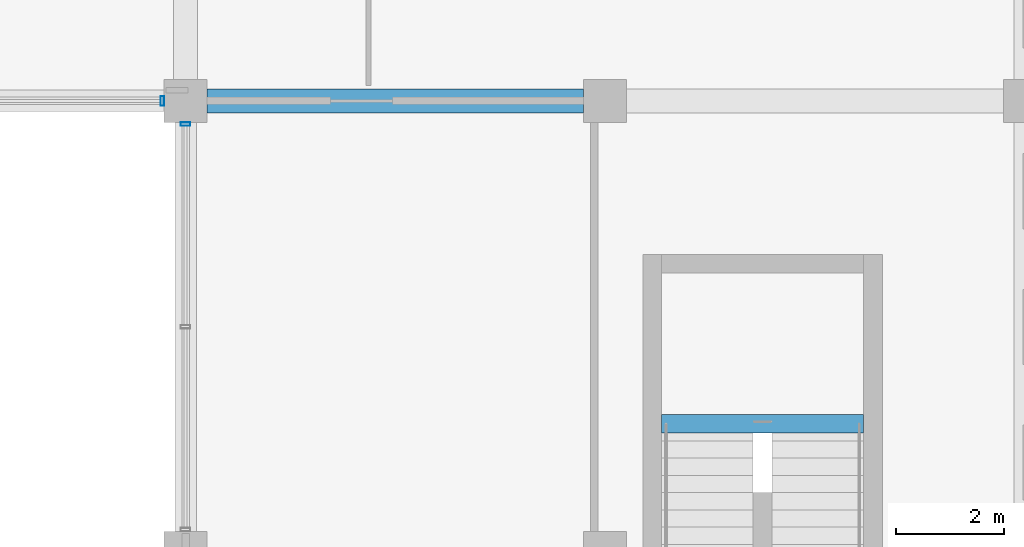
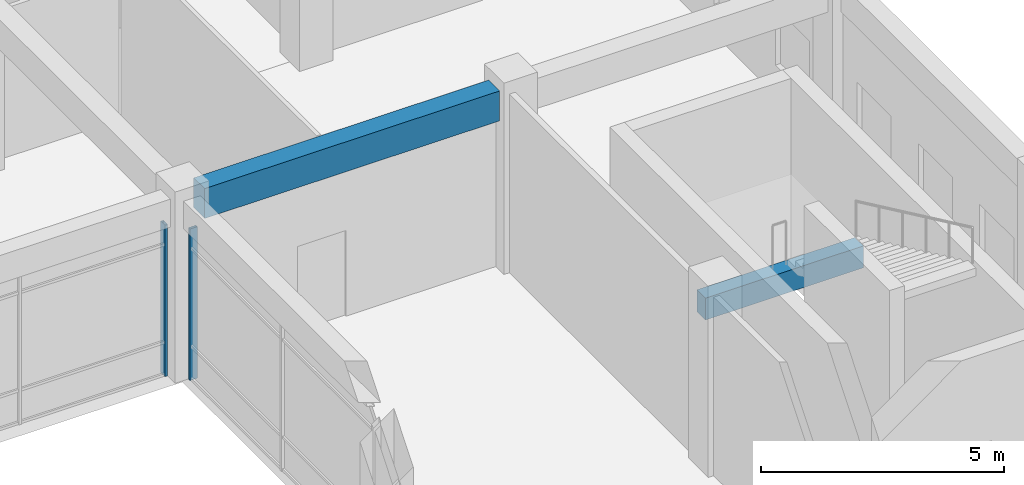
# One storey, part 34 of 62: 2 beams, 2 members, 2 elements without a shape of their own.
"""IFC4 building model written with IfcOpenShell, lengths in metres."""

import ifcopenshell
import ifcopenshell.guid

model = None  # the IFC model being written
_history = None  # IfcOwnerHistory: only IFC2X3 demands one
_inside = {}  # id of a spatial element -> (the spatial element, [elements in it])
_under = {}  # id of a project, library or spatial element -> (it, [spatial elements below it])
_declared = {}  # id of a project -> (the project, [libraries it declares])
_typed = {}  # id of a type object -> (the type object, [elements of that type])
_made_of = {}  # id of a material, layer set ... -> (it, [elements and type objects made of it])


def new_model(schema):
    """Start an empty IFC model of exactly this schema.

    Asked for "IFC4X3", IfcOpenShell would pick the latest addendum, in which some entities
    have other attributes; the version numbers below select the first issue.
    IFC2X3 requires an IfcOwnerHistory on every rooted entity: one is made here for all.
    """
    global model, _history
    if schema == "IFC4X3":
        model = ifcopenshell.file(schema_version=(4, 3, 0, 0))
    else:
        model = ifcopenshell.file(schema=schema)
    _inside.clear()
    _under.clear()
    _declared.clear()
    _typed.clear()
    _made_of.clear()
    _history = None
    if model.schema == "IFC2X3":
        org = make("IfcOrganization", Name="unknown")
        user = make(
            "IfcPersonAndOrganization",
            ThePerson=make("IfcPerson", FamilyName="unknown"),
            TheOrganization=org,
        )
        app = make(
            "IfcApplication",
            ApplicationDeveloper=org,
            Version="unknown",
            ApplicationFullName="unknown",
            ApplicationIdentifier="unknown",
        )
        _history = make(
            "IfcOwnerHistory",
            OwningUser=user,
            OwningApplication=app,
            ChangeAction="ADDED",
            CreationDate=0,
        )
    return model


def make(cls, **values):
    """One entity of the class cls with the attributes given. An attribute that is None is left unset."""
    return model.create_entity(
        cls, **{name: value for name, value in values.items() if value is not None}
    )


def rooted(cls, **values):
    """An entity with a GlobalId (a new one), such as an element, a storey or a relation."""
    return make(cls, GlobalId=ifcopenshell.guid.new(), OwnerHistory=_history, **values)


def si_unit(unit_type, name, prefix=None):
    """IfcSIUnit, for example si_unit("LENGTHUNIT", "METRE", prefix="MILLI")."""
    return make("IfcSIUnit", UnitType=unit_type, Prefix=prefix, Name=name)


def assignment(units):
    """IfcUnitAssignment: the units of a project."""
    return None if units is None else make("IfcUnitAssignment", Units=units)


def point(xyz):
    """IfcCartesianPoint."""
    return None if xyz is None else make("IfcCartesianPoint", Coordinates=xyz)


def direction(xyz):
    """IfcDirection."""
    return None if xyz is None else make("IfcDirection", DirectionRatios=xyz)


def frame(location, z_axis=None, x_axis=None):
    """IfcAxis2Placement3D, a coordinate frame: its origin and axes. An axis left out is left unset."""
    return make(
        "IfcAxis2Placement3D",
        Location=point(location),
        Axis=direction(z_axis),
        RefDirection=direction(x_axis),
    )


def frame_2d(location, x_axis=None):
    """IfcAxis2Placement2D, a coordinate frame in the plane: its origin and x axis."""
    return make(
        "IfcAxis2Placement2D", Location=point(location), RefDirection=direction(x_axis)
    )


def origin():
    """The frame at (0, 0, 0) with its axes left unset."""
    return frame((0.0, 0.0, 0.0))


def origin_2d():
    """The frame at (0, 0) in the plane with its x axis left unset."""
    return frame_2d((0.0, 0.0))


def place(relative_to, where):
    """IfcLocalPlacement: puts the frame where relative to a parent placement (None: the world)."""
    return make(
        "IfcLocalPlacement", PlacementRelTo=relative_to, RelativePlacement=where
    )


def context(
    kind, dimensions, precision=None, world=None, true_north=None, identifier=None
):
    """IfcGeometricRepresentationContext, for example the 3D "Model" context."""
    return make(
        "IfcGeometricRepresentationContext",
        ContextIdentifier=identifier,
        ContextType=kind,
        CoordinateSpaceDimension=dimensions,
        Precision=precision,
        WorldCoordinateSystem=world,
        TrueNorth=true_north,
    )


def subcontext(parent, identifier, kind, view, scale=None):
    """IfcGeometricRepresentationSubContext, for example "Body" below "Model"."""
    return make(
        "IfcGeometricRepresentationSubContext",
        ContextIdentifier=identifier,
        ContextType=kind,
        ParentContext=parent,
        TargetScale=scale,
        TargetView=view,
    )


def project(units=None, contexts=None):
    """IfcProject with its units and contexts."""
    return rooted(
        "IfcProject",
        Name="project",
        RepresentationContexts=contexts,
        UnitsInContext=assignment(units),
    )


def spatial(cls, under=None, at=None, **own):
    """A site, building, storey or space (cls), placed at a placement, below another one or the project."""
    s = rooted(cls, ObjectPlacement=at, **own)
    if under is not None:
        _under.setdefault(under.id(), (under, []))[1].append(s)
    return s


def profile(cls, at=None, kind="AREA", **sizes):
    """A parametric profile (cls). Its sizes go by their IFC names, for example OverallWidth=200.0."""
    return make(cls, ProfileType=kind, Position=at, **sizes)


def rectangle(**sizes):
    """IfcRectangleProfileDef."""
    return profile("IfcRectangleProfileDef", **sizes)


def hollow_rectangle(**sizes):
    """IfcRectangleHollowProfileDef."""
    return profile("IfcRectangleHollowProfileDef", **sizes)


def extrude(swept, where, along, depth):
    """IfcExtrudedAreaSolid: the profile swept, set in the frame where, extruded along a direction by depth."""
    return make(
        "IfcExtrudedAreaSolid",
        SweptArea=swept,
        Position=where,
        ExtrudedDirection=direction(along),
        Depth=depth,
    )


def shape(context_of_items, identifier, shape_type, items):
    """IfcShapeRepresentation: the items that make up one representation, for example the "Body"."""
    return make(
        "IfcShapeRepresentation",
        ContextOfItems=context_of_items,
        RepresentationIdentifier=identifier,
        RepresentationType=shape_type,
        Items=items,
    )


def material(Name=None, Category=None):
    """IfcMaterial."""
    return make("IfcMaterial", Name=Name, Category=Category)


def material_profile(
    of_material, cross_section, Name=None, Category=None, Priority=None
):
    """IfcMaterialProfile: a cross section and its material."""
    return make(
        "IfcMaterialProfile",
        Name=Name,
        Material=of_material,
        Profile=cross_section,
        Priority=Priority,
        Category=Category,
    )


def profile_set(profiles, Name=None, composite=None):
    """IfcMaterialProfileSet."""
    return make(
        "IfcMaterialProfileSet",
        Name=Name,
        MaterialProfiles=profiles,
        CompositeProfile=composite,
    )


def made_of(thing, what):
    """Note that an element or type object is made of a material, layer set ...; save() writes the relation."""
    if what is not None:
        _made_of.setdefault(what.id(), (what, []))[1].append(thing)
    return thing


def type_object(cls, material=None, **own):
    """A type object (cls), such as IfcWallType, which elements share."""
    return made_of(rooted(cls, **own), material)


def element(
    cls,
    number,
    at=None,
    inside=None,
    cuts=None,
    type_object=None,
    material=None,
    context=None,
    identifier="Body",
    shape_type=None,
    held_by="IfcProductDefinitionShape",
    body=None,
    shapes=None,
    **own,
):
    """One element of the class cls, such as IfcWall. Its Tag is "e" and its number.

    at: its placement. inside: the storey or other place that contains it. cuts: it is an
    opening in that element (IfcRelVoidsElement). A single representation is given by context,
    identifier, shape_type and body (its items); several are given by shapes. held_by: the class
    of the entity that holds the representations. save() writes the other relations.
    """
    e = rooted(cls, Tag="e%d" % number, ObjectPlacement=at, **own)
    if body is not None:
        shapes = [shape(context, identifier, shape_type, body)]
    if shapes is not None:
        e.Representation = make(held_by, Representations=shapes)
    if inside is not None:
        _inside.setdefault(inside.id(), (inside, []))[1].append(e)
    if cuts is not None:
        rooted(
            "IfcRelVoidsElement", RelatingBuildingElement=cuts, RelatedOpeningElement=e
        )
    if type_object is not None:
        _typed.setdefault(type_object.id(), (type_object, []))[1].append(e)
    return made_of(e, material)


def aggregate(whole, parts):
    """IfcRelAggregates: a whole, such as a stair, and the parts it consists of."""
    return rooted("IfcRelAggregates", RelatingObject=whole, RelatedObjects=parts)


def save(model, path):
    """Write the relations noted so far, then the file.

    IfcRelAggregates (storeys below a building ...), IfcRelContainedInSpatialStructure (elements
    in a storey), IfcRelDefinesByType, IfcRelAssociatesMaterial and IfcRelDeclares: one each for
    every whole, place, type object, material and project.
    """
    for whole, parts in _under.values():
        aggregate(whole, parts)
    for where, things in _inside.values():
        rooted(
            "IfcRelContainedInSpatialStructure",
            RelatedElements=things,
            RelatingStructure=where,
        )
    for kind, things in _typed.values():
        rooted("IfcRelDefinesByType", RelatedObjects=things, RelatingType=kind)
    for what, things in _made_of.values():
        rooted("IfcRelAssociatesMaterial", RelatedObjects=things, RelatingMaterial=what)
    for by, libraries in _declared.values():
        rooted("IfcRelDeclares", RelatingContext=by, RelatedDefinitions=libraries)
    model.write(path)


model = new_model("IFC4")

# Units and contexts
model_context = context("Model", 3, precision=1e-05, world=origin(), true_north=direction((0.0, 1.0)))
body_context = subcontext(model_context, "Body", "Model", "MODEL_VIEW")
ifc_project = project(units=[si_unit("LENGTHUNIT", "METRE"), si_unit("AREAUNIT", "SQUARE_METRE"), si_unit("VOLUMEUNIT", "CUBIC_METRE"), si_unit("PLANEANGLEUNIT", "RADIAN"), si_unit("MASSUNIT", "GRAM", prefix="KILO"), si_unit("THERMODYNAMICTEMPERATUREUNIT", "KELVIN"), si_unit("POWERUNIT", "WATT")], contexts=[model_context])

# Site, building, storey
site_placement = place(None, origin())
site = spatial("IfcSite", under=ifc_project, at=site_placement, CompositionType="ELEMENT")
building_placement = place(site_placement, origin())
building = spatial("IfcBuilding", under=site, at=building_placement, Name="Srebrne Nadtorze General Hospital", CompositionType="ELEMENT")
storey_placement = place(building_placement, frame((0.0, 0.0, 9.60009765625)))
storey = spatial("IfcBuildingStorey", under=building, at=storey_placement, Name="L02", CompositionType="ELEMENT", Elevation=9.60009765625)

# Curtain wall, member
ifc_material_1 = material(Name="Anodised Aluminium", Category="aluminium")
curtain_wall_type_1 = type_object("IfcCurtainWallType", Name="Unitised curtain wall 7000x3800", PredefinedType="NOTDEFINED", material=ifc_material_1)
curtain_wall_1_placement = place(storey_placement, origin())
curtain_wall_1 = element("IfcCurtainWall", 1, at=curtain_wall_1_placement, inside=storey, type_object=curtain_wall_type_1, Name="Curtain wall CW-075", PredefinedType="NOTDEFINED")
ifc_material_2 = material(Name="Anodised Aluminium", Category="aluminium")
ifc_material_profile_1 = material_profile(ifc_material_2, hollow_rectangle(XDim=0.06494140625, YDim=0.179931640625, WallThickness=0.00390625, at=origin_2d()), Name="AL-MUL-65x180")
ifc_profile_set_1 = profile_set([ifc_material_profile_1], Name="Anodised Aluminium")
member_type = type_object("IfcMemberType", Name="Curtain mullion 65x180", PredefinedType="MULLION", material=ifc_profile_set_1)
member_1_placement = place(storey_placement, frame((132.16748046875, 25.199951171875, 0.0), z_axis=(0.0, 0.0, 1.0), x_axis=(1.0, 0.0, 0.0)))
member_1 = element("IfcMember", 2, at=member_1_placement, type_object=member_type, Name="CW-075 mullion 3", PredefinedType="MULLION", context=body_context, shape_type="SweptSolid", body=[
    extrude(hollow_rectangle(XDim=0.06494140625, YDim=0.179931640625, WallThickness=0.00390625, at=origin_2d()), origin(), (0.0, 0.0, 1.0), 3.7998046875),
])
aggregate(curtain_wall_1, [member_1])

ifc_material_3 = material(Name="Anodised Aluminium", Category="aluminium")
curtain_wall_type_2 = type_object("IfcCurtainWallType", Name="Unitised curtain wall 7600x3800", PredefinedType="NOTDEFINED", material=ifc_material_3)
curtain_wall_2_placement = place(storey_placement, origin())
curtain_wall_2 = element("IfcCurtainWall", 3, at=curtain_wall_2_placement, inside=storey, type_object=curtain_wall_type_2, Name="Curtain wall CW-089", PredefinedType="NOTDEFINED")
member_2_placement = place(storey_placement, frame((132.60009765625, 24.767578125, 0.0), z_axis=(0.0, 0.0, 1.0), x_axis=(0.0, 1.0, 0.0)))
member_2 = element("IfcMember", 4, at=member_2_placement, type_object=member_type, Name="CW-089 mullion 3", PredefinedType="MULLION", context=body_context, shape_type="SweptSolid", body=[
    extrude(hollow_rectangle(XDim=0.06494140625, YDim=0.179931640625, WallThickness=0.00390625, at=origin_2d()), origin(), (0.0, 0.0, 1.0), 3.7998046875),
])
aggregate(curtain_wall_2, [member_2])

# Beams
ifc_material_4 = material(Name="Concrete C40/50", Category="concrete")
ifc_material_profile_2 = material_profile(ifc_material_4, rectangle(XDim=0.449951171875, YDim=0.75, at=origin_2d()), Name="RC-BM-450x750")
ifc_profile_set_2 = profile_set([ifc_material_profile_2], Name="Concrete C40/50")
beam_type_1 = type_object("IfcBeamType", Name="Primary beam RC 450x750", PredefinedType="BEAM", material=ifc_profile_set_2)
beam_1_placement = place(storey_placement, frame((133.0, 25.199951171875, 4.125), z_axis=(1.0, 0.0, 0.0), x_axis=(0.0, 1.0, 0.0)))
element("IfcBeam", 5, at=beam_1_placement, inside=storey, type_object=beam_type_1, Name="Beam BM-L02-X-0573", PredefinedType="BEAM", context=body_context, shape_type="SweptSolid", body=[
    extrude(rectangle(XDim=0.449951171875, YDim=0.75, at=origin_2d()), origin(), (0.0, 0.0, 1.0), 7.0),
])
ifc_material_5 = material(Name="Concrete C35/45", Category="concrete")
ifc_material_profile_3 = material_profile(ifc_material_5, rectangle(XDim=0.35009765625, YDim=0.550048828125, at=origin_2d()), Name="RC-BM-350x550")
ifc_profile_set_3 = profile_set([ifc_material_profile_3], Name="Concrete C35/45")
beam_type_2 = type_object("IfcBeamType", Name="Spandrel lintel beam RC 350x550", PredefinedType="LINTEL", material=ifc_profile_set_3)
beam_2_placement = place(storey_placement, frame((141.449951171875, 19.199951171875, 2.125), z_axis=(1.0, 0.0, 0.0), x_axis=(0.0, 1.0, 0.0)))
element("IfcBeam", 6, at=beam_2_placement, inside=storey, type_object=beam_type_2, Name="Stair landing header beam ST-08 L02", PredefinedType="LINTEL", context=body_context, shape_type="SweptSolid", body=[
    extrude(rectangle(XDim=0.35009765625, YDim=0.550048828125, at=origin_2d()), origin(), (0.0, 0.0, 1.0), 3.75),
])

save(model, "model.ifc")
